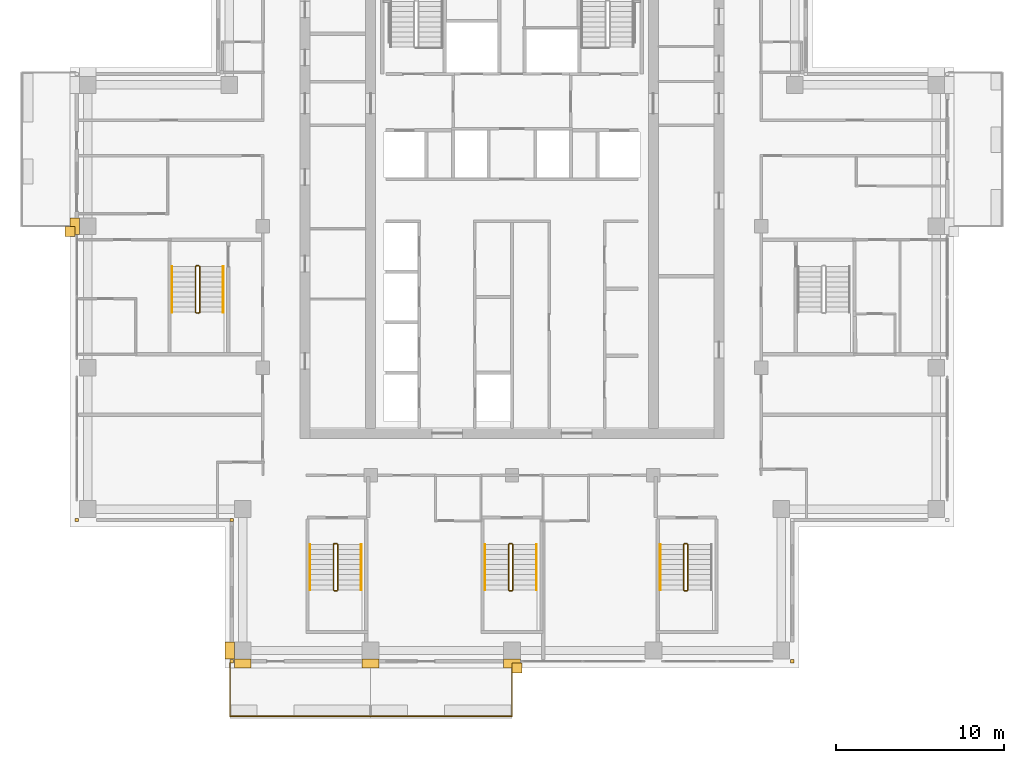
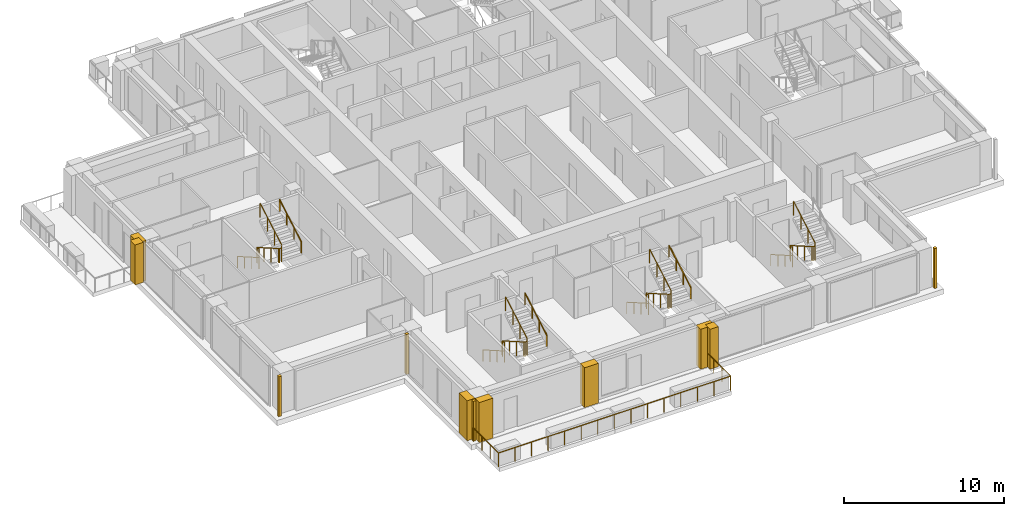
# One storey, part 13 of 15: 13 railings, 11 coverings.
"""IFC4 building model written with IfcOpenShell, lengths in metres."""

from ifc_helpers import new_model, si_unit, direction, frame, origin, origin_2d, place, context, subcontext, project, spatial, polyline, rectangle, outline, extrude, material, type_object, element, save


model = new_model("IFC4")

# Units and contexts
model_context = context("Model", 3, precision=1e-05, world=origin(), true_north=direction((0.0, 1.0)))
body_context = subcontext(model_context, "Body", "Model", "MODEL_VIEW")
ifc_project = project(units=[si_unit("LENGTHUNIT", "METRE"), si_unit("AREAUNIT", "SQUARE_METRE"), si_unit("VOLUMEUNIT", "CUBIC_METRE"), si_unit("PLANEANGLEUNIT", "RADIAN"), si_unit("MASSUNIT", "GRAM", prefix="KILO")], contexts=[model_context])

# Site, building, storey
site_placement = place(None, origin())
site = spatial("IfcSite", under=ifc_project, at=site_placement, CompositionType="ELEMENT")
building_placement = place(site_placement, origin())
building = spatial("IfcBuilding", under=site, at=building_placement, Name="Vermilion Ogive Tower", CompositionType="ELEMENT")
storey_placement = place(building_placement, frame((0.0, 0.0, 210.050048828125)))
storey = spatial("IfcBuildingStorey", under=building, at=storey_placement, Name="L55", CompositionType="ELEMENT", Elevation=210.050048828125)

# Railings
ifc_material_1 = material(Name="Stainless steel and glass", Category="steel")
railing_type_1 = type_object("IfcRailingType", Name="Balcony guard", PredefinedType="GUARDRAIL", material=ifc_material_1)
railing_1_placement = place(storey_placement, frame((-16.75, -21.75, -0.0400390625)))
element("IfcRailing", 1, at=railing_1_placement, inside=storey, type_object=railing_type_1, Name="Guard S01", PredefinedType="GUARDRAIL", context=body_context, shape_type="SweptSolid", body=[
    extrude(rectangle(XDim=0.048095703125, YDim=0.048095703125, at=origin_2d()), frame((0.0, 0.0, 1.076171875), z_axis=(0.0, -1.0, 0.0), x_axis=(1.0, 0.0, 0.0)), (0.0, 0.0, 1.0), 3.159912109375),
    extrude(rectangle(XDim=0.048095703125, YDim=0.048095703125, at=origin_2d()), frame((0.0, -3.159912109375, 1.076171875), z_axis=(1.0, 0.0, 0.0), x_axis=(0.0, 1.0, 0.0)), (0.0, 0.0, 1.0), 8.35009765625),
    extrude(rectangle(XDim=0.0419921875, YDim=0.0419921875, at=origin_2d()), origin(), (0.0, 0.0, 1.0), 1.052001953125),
    extrude(rectangle(XDim=0.0419921875, YDim=0.0419921875, at=origin_2d()), frame((0.0, -1.05322265625, 0.0)), (0.0, 0.0, 1.0), 1.052001953125),
    extrude(rectangle(XDim=0.0419921875, YDim=0.0419921875, at=origin_2d()), frame((0.0, -2.106689453125, 0.0)), (0.0, 0.0, 1.0), 1.052001953125),
    extrude(rectangle(XDim=0.0419921875, YDim=0.0419921875, at=origin_2d()), frame((0.0, -3.159912109375, 0.0)), (0.0, 0.0, 1.0), 1.052001953125),
    extrude(rectangle(XDim=0.0419921875, YDim=0.0419921875, at=origin_2d()), frame((1.19287109375, -3.159912109375, 0.0)), (0.0, 0.0, 1.0), 1.052001953125),
    extrude(rectangle(XDim=0.0419921875, YDim=0.0419921875, at=origin_2d()), frame((2.3857421875, -3.159912109375, 0.0)), (0.0, 0.0, 1.0), 1.052001953125),
    extrude(rectangle(XDim=0.0419921875, YDim=0.0419921875, at=origin_2d()), frame((3.57861328125, -3.159912109375, 0.0)), (0.0, 0.0, 1.0), 1.052001953125),
    extrude(rectangle(XDim=0.0419921875, YDim=0.0419921875, at=origin_2d()), frame((4.771484375, -3.159912109375, 0.0)), (0.0, 0.0, 1.0), 1.052001953125),
    extrude(rectangle(XDim=0.0419921875, YDim=0.0419921875, at=origin_2d()), frame((5.96435546875, -3.159912109375, 0.0)), (0.0, 0.0, 1.0), 1.052001953125),
    extrude(rectangle(XDim=0.0419921875, YDim=0.0419921875, at=origin_2d()), frame((7.1572265625, -3.159912109375, 0.0)), (0.0, 0.0, 1.0), 1.052001953125),
    extrude(rectangle(XDim=0.0419921875, YDim=0.0419921875, at=origin_2d()), frame((8.35009765625, -3.159912109375, 0.0)), (0.0, 0.0, 1.0), 1.052001953125),
])
railing_2_placement = place(storey_placement, frame((-8.39990234375, -24.909912109375, -0.0400390625)))
element("IfcRailing", 2, at=railing_2_placement, inside=storey, type_object=railing_type_1, Name="Guard S02", PredefinedType="GUARDRAIL", context=body_context, shape_type="SweptSolid", body=[
    extrude(rectangle(XDim=0.048095703125, YDim=0.048095703125, at=origin_2d()), frame((0.0, 0.0, 1.076171875), z_axis=(1.0, 0.0, 0.0), x_axis=(0.0, 1.0, 0.0)), (0.0, 0.0, 1.0), 8.39990234375),
    extrude(rectangle(XDim=0.048095703125, YDim=0.048095703125, at=origin_2d()), frame((8.39990234375, 0.0, 1.076171875), z_axis=(0.0, 1.0, 0.0), x_axis=(-1.0, 0.0, 0.0)), (0.0, 0.0, 1.0), 3.159912109375),
    extrude(rectangle(XDim=0.0419921875, YDim=0.0419921875, at=origin_2d()), origin(), (0.0, 0.0, 1.0), 1.052001953125),
    extrude(rectangle(XDim=0.0419921875, YDim=0.0419921875, at=origin_2d()), frame((1.199951171875, 0.0, 0.0)), (0.0, 0.0, 1.0), 1.052001953125),
    extrude(rectangle(XDim=0.0419921875, YDim=0.0419921875, at=origin_2d()), frame((2.39990234375, 0.0, 0.0)), (0.0, 0.0, 1.0), 1.052001953125),
    extrude(rectangle(XDim=0.0419921875, YDim=0.0419921875, at=origin_2d()), frame((3.599853515625, 0.0, 0.0)), (0.0, 0.0, 1.0), 1.052001953125),
    extrude(rectangle(XDim=0.0419921875, YDim=0.0419921875, at=origin_2d()), frame((4.800048828125, 0.0, 0.0)), (0.0, 0.0, 1.0), 1.052001953125),
    extrude(rectangle(XDim=0.0419921875, YDim=0.0419921875, at=origin_2d()), frame((6.0, 0.0, 0.0)), (0.0, 0.0, 1.0), 1.052001953125),
    extrude(rectangle(XDim=0.0419921875, YDim=0.0419921875, at=origin_2d()), frame((7.199951171875, 0.0, 0.0)), (0.0, 0.0, 1.0), 1.052001953125),
    extrude(rectangle(XDim=0.0419921875, YDim=0.0419921875, at=origin_2d()), frame((8.39990234375, 0.0, 0.0)), (0.0, 0.0, 1.0), 1.052001953125),
    extrude(rectangle(XDim=0.0419921875, YDim=0.0419921875, at=origin_2d()), frame((8.39990234375, 1.05322265625, 0.0)), (0.0, 0.0, 1.0), 1.052001953125),
    extrude(rectangle(XDim=0.0419921875, YDim=0.0419921875, at=origin_2d()), frame((8.39990234375, 2.106689453125, 0.0)), (0.0, 0.0, 1.0), 1.052001953125),
    extrude(rectangle(XDim=0.0419921875, YDim=0.0419921875, at=origin_2d()), frame((8.39990234375, 3.159912109375, 0.0)), (0.0, 0.0, 1.0), 1.052001953125),
])
ifc_material_2 = material(Name="Steel S355 painted", Category="steel")
railing_type_2 = type_object("IfcRailingType", Name="Stair guard 1100", PredefinedType="GUARDRAIL", material=ifc_material_2)
railing_3_placement = place(storey_placement, frame((-10.39990234375, -14.64990234375, 0.0)))
element("IfcRailing", 3, at=railing_3_placement, inside=storey, type_object=railing_type_2, Name="L55 ST3 stair guard 4", PredefinedType="GUARDRAIL", context=body_context, shape_type="SweptSolid", body=[
    extrude(rectangle(XDim=0.048095703125, YDim=0.048095703125, at=origin_2d()), frame((0.0, 0.0, 1.076171875), z_axis=(-1.0, 0.0, 0.0), x_axis=(0.0, -1.0, 0.0)), (0.0, 0.0, 1.0), 0.150146484375),
    extrude(rectangle(XDim=0.048095703125, YDim=0.048095703125, at=origin_2d()), frame((-0.150146484375, 0.0, 1.076171875), z_axis=(-0.268603158521, -0.268603158521, 0.925043072762), x_axis=(0.707106781187, -0.707106781187, 0.0)), (0.0, 0.0, 1.0), 0.186279296875),
    extrude(rectangle(XDim=0.048095703125, YDim=0.048095703125, at=origin_2d()), frame((-0.2001953125, -0.050048828125, 1.24853515625), z_axis=(0.0, -0.866903762492, 0.498475542607), x_axis=(1.0, 0.0, 0.0)), (0.0, 0.0, 1.0), 3.114501953125),
    extrude(rectangle(XDim=0.048095703125, YDim=0.048095703125, at=origin_2d()), frame((-0.2001953125, -2.75, 2.80078125), z_axis=(0.707106781187, -0.707106781187, 0.0), x_axis=(0.707106781187, 0.707106781187, 0.0)), (0.0, 0.0, 1.0), 0.07080078125),
    extrude(rectangle(XDim=0.048095703125, YDim=0.048095703125, at=origin_2d()), frame((-0.150146484375, -2.800048828125, 2.80078125), z_axis=(1.0, 0.0, 0.0), x_axis=(0.0, 1.0, 0.0)), (0.0, 0.0, 1.0), 0.150146484375),
    extrude(rectangle(XDim=0.048095703125, YDim=0.048095703125, at=origin_2d()), frame((0.0, -2.800048828125, 2.80078125), z_axis=(0.267062837333, 0.268371968888, 0.925556009775), x_axis=(-0.708833529934, 0.705375805398, 0.0)), (0.0, 0.0, 1.0), 0.1865234375),
    extrude(rectangle(XDim=0.048095703125, YDim=0.048095703125, at=origin_2d()), frame((0.0498046875, -2.75, 2.9736328125), z_axis=(0.0, 0.866903762492, 0.498475542607), x_axis=(-1.0, 0.0, 0.0)), (0.0, 0.0, 1.0), 3.114501953125),
    extrude(rectangle(XDim=0.0419921875, YDim=0.0419921875, at=origin_2d()), origin(), (0.0, 0.0, 1.0), 1.052001953125),
    extrude(rectangle(XDim=0.0419921875, YDim=0.0419921875, at=origin_2d()), frame((-0.150146484375, 0.0, 0.0)), (0.0, 0.0, 1.0), 1.052001953125),
    extrude(rectangle(XDim=0.0419921875, YDim=0.0419921875, at=origin_2d()), frame((-0.2001953125, -0.050048828125, 0.17236328125)), (0.0, 0.0, 1.0), 1.052001953125),
    extrude(rectangle(XDim=0.0419921875, YDim=0.0419921875, at=origin_2d()), frame((-0.2001953125, -0.949951171875, 0.68994140625)), (0.0, 0.0, 1.0), 1.052001953125),
    extrude(rectangle(XDim=0.0419921875, YDim=0.0419921875, at=origin_2d()), frame((-0.2001953125, -1.85009765625, 1.207275390625)), (0.0, 0.0, 1.0), 1.052001953125),
    extrude(rectangle(XDim=0.0419921875, YDim=0.0419921875, at=origin_2d()), frame((-0.2001953125, -2.75, 1.724853515625)), (0.0, 0.0, 1.0), 1.052001953125),
    extrude(rectangle(XDim=0.0419921875, YDim=0.0419921875, at=origin_2d()), frame((-0.150146484375, -2.800048828125, 1.724853515625)), (0.0, 0.0, 1.0), 1.052001953125),
    extrude(rectangle(XDim=0.0419921875, YDim=0.0419921875, at=origin_2d()), frame((0.0, -2.800048828125, 1.724853515625)), (0.0, 0.0, 1.0), 1.052001953125),
    extrude(rectangle(XDim=0.0419921875, YDim=0.0419921875, at=origin_2d()), frame((0.0498046875, -2.75, 1.8974609375)), (0.0, 0.0, 1.0), 1.052001953125),
    extrude(rectangle(XDim=0.0419921875, YDim=0.0419921875, at=origin_2d()), frame((0.0498046875, -1.85009765625, 2.4150390625)), (0.0, 0.0, 1.0), 1.052001953125),
    extrude(rectangle(XDim=0.0419921875, YDim=0.0419921875, at=origin_2d()), frame((0.0498046875, -0.949951171875, 2.932373046875)), (0.0, 0.0, 1.0), 1.052001953125),
    extrude(rectangle(XDim=0.0419921875, YDim=0.0419921875, at=origin_2d()), frame((0.0498046875, -0.050048828125, 3.449951171875)), (0.0, 0.0, 1.0), 1.052001953125),
])
railing_4_placement = place(storey_placement, frame((0.0, -14.64990234375, 0.0)))
element("IfcRailing", 4, at=railing_4_placement, inside=storey, type_object=railing_type_2, Name="L55 ST4 stair guard 4", PredefinedType="GUARDRAIL", context=body_context, shape_type="SweptSolid", body=[
    extrude(rectangle(XDim=0.048095703125, YDim=0.048095703125, at=origin_2d()), frame((0.0, 0.0, 1.076171875), z_axis=(-1.0, 0.0, 0.0), x_axis=(0.0, -1.0, 0.0)), (0.0, 0.0, 1.0), 0.14990234375),
    extrude(rectangle(XDim=0.048095703125, YDim=0.048095703125, at=origin_2d()), frame((-0.14990234375, 0.0, 1.076171875), z_axis=(-0.268603158521, -0.268603158521, 0.925043072762), x_axis=(0.707106781187, -0.707106781187, 0.0)), (0.0, 0.0, 1.0), 0.186279296875),
    extrude(rectangle(XDim=0.048095703125, YDim=0.048095703125, at=origin_2d()), frame((-0.199951171875, -0.050048828125, 1.24853515625), z_axis=(0.0, -0.866903762492, 0.498475542607), x_axis=(1.0, 0.0, 0.0)), (0.0, 0.0, 1.0), 3.114501953125),
    extrude(rectangle(XDim=0.048095703125, YDim=0.048095703125, at=origin_2d()), frame((-0.199951171875, -2.75, 2.80078125), z_axis=(0.707106781187, -0.707106781187, 0.0), x_axis=(0.707106781187, 0.707106781187, 0.0)), (0.0, 0.0, 1.0), 0.07080078125),
    extrude(rectangle(XDim=0.048095703125, YDim=0.048095703125, at=origin_2d()), frame((-0.14990234375, -2.800048828125, 2.80078125), z_axis=(1.0, 0.0, 0.0), x_axis=(0.0, 1.0, 0.0)), (0.0, 0.0, 1.0), 0.14990234375),
    extrude(rectangle(XDim=0.048095703125, YDim=0.048095703125, at=origin_2d()), frame((0.0, -2.800048828125, 2.80078125), z_axis=(0.268277960024, 0.268277960024, 0.925231793839), x_axis=(-0.707106781187, 0.707106781187, 0.0)), (0.0, 0.0, 1.0), 0.1865234375),
    extrude(rectangle(XDim=0.048095703125, YDim=0.048095703125, at=origin_2d()), frame((0.050048828125, -2.75, 2.9736328125), z_axis=(0.0, 0.866903762492, 0.498475542607), x_axis=(-1.0, 0.0, 0.0)), (0.0, 0.0, 1.0), 3.114501953125),
    extrude(rectangle(XDim=0.0419921875, YDim=0.0419921875, at=origin_2d()), origin(), (0.0, 0.0, 1.0), 1.052001953125),
    extrude(rectangle(XDim=0.0419921875, YDim=0.0419921875, at=origin_2d()), frame((-0.14990234375, 0.0, 0.0)), (0.0, 0.0, 1.0), 1.052001953125),
    extrude(rectangle(XDim=0.0419921875, YDim=0.0419921875, at=origin_2d()), frame((-0.199951171875, -0.050048828125, 0.17236328125)), (0.0, 0.0, 1.0), 1.052001953125),
    extrude(rectangle(XDim=0.0419921875, YDim=0.0419921875, at=origin_2d()), frame((-0.199951171875, -0.949951171875, 0.68994140625)), (0.0, 0.0, 1.0), 1.052001953125),
    extrude(rectangle(XDim=0.0419921875, YDim=0.0419921875, at=origin_2d()), frame((-0.199951171875, -1.85009765625, 1.207275390625)), (0.0, 0.0, 1.0), 1.052001953125),
    extrude(rectangle(XDim=0.0419921875, YDim=0.0419921875, at=origin_2d()), frame((-0.199951171875, -2.75, 1.724853515625)), (0.0, 0.0, 1.0), 1.052001953125),
    extrude(rectangle(XDim=0.0419921875, YDim=0.0419921875, at=origin_2d()), frame((-0.14990234375, -2.800048828125, 1.724853515625)), (0.0, 0.0, 1.0), 1.052001953125),
    extrude(rectangle(XDim=0.0419921875, YDim=0.0419921875, at=origin_2d()), frame((0.0, -2.800048828125, 1.724853515625)), (0.0, 0.0, 1.0), 1.052001953125),
    extrude(rectangle(XDim=0.0419921875, YDim=0.0419921875, at=origin_2d()), frame((0.050048828125, -2.75, 1.8974609375)), (0.0, 0.0, 1.0), 1.052001953125),
    extrude(rectangle(XDim=0.0419921875, YDim=0.0419921875, at=origin_2d()), frame((0.050048828125, -1.85009765625, 2.4150390625)), (0.0, 0.0, 1.0), 1.052001953125),
    extrude(rectangle(XDim=0.0419921875, YDim=0.0419921875, at=origin_2d()), frame((0.050048828125, -0.949951171875, 2.932373046875)), (0.0, 0.0, 1.0), 1.052001953125),
    extrude(rectangle(XDim=0.0419921875, YDim=0.0419921875, at=origin_2d()), frame((0.050048828125, -0.050048828125, 3.449951171875)), (0.0, 0.0, 1.0), 1.052001953125),
])
railing_5_placement = place(storey_placement, frame((10.39990234375, -14.64990234375, 0.0)))
element("IfcRailing", 5, at=railing_5_placement, inside=storey, type_object=railing_type_2, Name="L55 ST5 stair guard 4", PredefinedType="GUARDRAIL", context=body_context, shape_type="SweptSolid", body=[
    extrude(rectangle(XDim=0.048095703125, YDim=0.048095703125, at=origin_2d()), frame((0.0, 0.0, 1.076171875), z_axis=(-1.0, 0.0, 0.0), x_axis=(0.0, -1.0, 0.0)), (0.0, 0.0, 1.0), 0.14990234375),
    extrude(rectangle(XDim=0.048095703125, YDim=0.048095703125, at=origin_2d()), frame((-0.14990234375, 0.0, 1.076171875), z_axis=(-0.268603158521, -0.268603158521, 0.925043072762), x_axis=(0.707106781187, -0.707106781187, 0.0)), (0.0, 0.0, 1.0), 0.186279296875),
    extrude(rectangle(XDim=0.048095703125, YDim=0.048095703125, at=origin_2d()), frame((-0.199951171875, -0.050048828125, 1.24853515625), z_axis=(0.0, -0.866903762492, 0.498475542607), x_axis=(1.0, 0.0, 0.0)), (0.0, 0.0, 1.0), 3.114501953125),
    extrude(rectangle(XDim=0.048095703125, YDim=0.048095703125, at=origin_2d()), frame((-0.199951171875, -2.75, 2.80078125), z_axis=(0.707106781187, -0.707106781187, 0.0), x_axis=(0.707106781187, 0.707106781187, 0.0)), (0.0, 0.0, 1.0), 0.07080078125),
    extrude(rectangle(XDim=0.048095703125, YDim=0.048095703125, at=origin_2d()), frame((-0.14990234375, -2.800048828125, 2.80078125), z_axis=(1.0, 0.0, 0.0), x_axis=(0.0, 1.0, 0.0)), (0.0, 0.0, 1.0), 0.14990234375),
    extrude(rectangle(XDim=0.048095703125, YDim=0.048095703125, at=origin_2d()), frame((0.0, -2.800048828125, 2.80078125), z_axis=(0.268277960024, 0.268277960024, 0.925231793839), x_axis=(-0.707106781187, 0.707106781187, 0.0)), (0.0, 0.0, 1.0), 0.1865234375),
    extrude(rectangle(XDim=0.048095703125, YDim=0.048095703125, at=origin_2d()), frame((0.050048828125, -2.75, 2.9736328125), z_axis=(0.0, 0.866903762492, 0.498475542607), x_axis=(-1.0, 0.0, 0.0)), (0.0, 0.0, 1.0), 3.114501953125),
    extrude(rectangle(XDim=0.0419921875, YDim=0.0419921875, at=origin_2d()), origin(), (0.0, 0.0, 1.0), 1.052001953125),
    extrude(rectangle(XDim=0.0419921875, YDim=0.0419921875, at=origin_2d()), frame((-0.14990234375, 0.0, 0.0)), (0.0, 0.0, 1.0), 1.052001953125),
    extrude(rectangle(XDim=0.0419921875, YDim=0.0419921875, at=origin_2d()), frame((-0.199951171875, -0.050048828125, 0.17236328125)), (0.0, 0.0, 1.0), 1.052001953125),
    extrude(rectangle(XDim=0.0419921875, YDim=0.0419921875, at=origin_2d()), frame((-0.199951171875, -0.949951171875, 0.68994140625)), (0.0, 0.0, 1.0), 1.052001953125),
    extrude(rectangle(XDim=0.0419921875, YDim=0.0419921875, at=origin_2d()), frame((-0.199951171875, -1.85009765625, 1.207275390625)), (0.0, 0.0, 1.0), 1.052001953125),
    extrude(rectangle(XDim=0.0419921875, YDim=0.0419921875, at=origin_2d()), frame((-0.199951171875, -2.75, 1.724853515625)), (0.0, 0.0, 1.0), 1.052001953125),
    extrude(rectangle(XDim=0.0419921875, YDim=0.0419921875, at=origin_2d()), frame((-0.14990234375, -2.800048828125, 1.724853515625)), (0.0, 0.0, 1.0), 1.052001953125),
    extrude(rectangle(XDim=0.0419921875, YDim=0.0419921875, at=origin_2d()), frame((0.0, -2.800048828125, 1.724853515625)), (0.0, 0.0, 1.0), 1.052001953125),
    extrude(rectangle(XDim=0.0419921875, YDim=0.0419921875, at=origin_2d()), frame((0.050048828125, -2.75, 1.8974609375)), (0.0, 0.0, 1.0), 1.052001953125),
    extrude(rectangle(XDim=0.0419921875, YDim=0.0419921875, at=origin_2d()), frame((0.050048828125, -1.85009765625, 2.4150390625)), (0.0, 0.0, 1.0), 1.052001953125),
    extrude(rectangle(XDim=0.0419921875, YDim=0.0419921875, at=origin_2d()), frame((0.050048828125, -0.949951171875, 2.932373046875)), (0.0, 0.0, 1.0), 1.052001953125),
    extrude(rectangle(XDim=0.0419921875, YDim=0.0419921875, at=origin_2d()), frame((0.050048828125, -0.050048828125, 3.449951171875)), (0.0, 0.0, 1.0), 1.052001953125),
])
railing_6_placement = place(storey_placement, frame((-18.60009765625, 1.85009765625, 0.0)))
element("IfcRailing", 6, at=railing_6_placement, inside=storey, type_object=railing_type_2, Name="L55 ST9 stair guard 4", PredefinedType="GUARDRAIL", context=body_context, shape_type="SweptSolid", body=[
    extrude(rectangle(XDim=0.048095703125, YDim=0.048095703125, at=origin_2d()), frame((0.0, 0.0, 1.076171875), z_axis=(-1.0, 0.0, 0.0), x_axis=(0.0, -1.0, 0.0)), (0.0, 0.0, 1.0), 0.14990234375),
    extrude(rectangle(XDim=0.048095703125, YDim=0.048095703125, at=origin_2d()), frame((-0.14990234375, 0.0, 1.076171875), z_axis=(-0.268603158521, -0.268603158521, 0.925043072762), x_axis=(0.707106781187, -0.707106781187, 0.0)), (0.0, 0.0, 1.0), 0.186279296875),
    extrude(rectangle(XDim=0.048095703125, YDim=0.048095703125, at=origin_2d()), frame((-0.199951171875, -0.050048828125, 1.24853515625), z_axis=(0.0, -0.866903762492, 0.498475542607), x_axis=(1.0, 0.0, 0.0)), (0.0, 0.0, 1.0), 3.114501953125),
    extrude(rectangle(XDim=0.048095703125, YDim=0.048095703125, at=origin_2d()), frame((-0.199951171875, -2.75, 2.80078125), z_axis=(0.707106781187, -0.707106781187, 0.0), x_axis=(0.707106781187, 0.707106781187, 0.0)), (0.0, 0.0, 1.0), 0.07080078125),
    extrude(rectangle(XDim=0.048095703125, YDim=0.048095703125, at=origin_2d()), frame((-0.14990234375, -2.800048828125, 2.80078125), z_axis=(1.0, 0.0, 0.0), x_axis=(0.0, 1.0, 0.0)), (0.0, 0.0, 1.0), 0.14990234375),
    extrude(rectangle(XDim=0.048095703125, YDim=0.048095703125, at=origin_2d()), frame((0.0, -2.800048828125, 2.80078125), z_axis=(0.268277960024, 0.268277960024, 0.925231793839), x_axis=(-0.707106781187, 0.707106781187, 0.0)), (0.0, 0.0, 1.0), 0.1865234375),
    extrude(rectangle(XDim=0.048095703125, YDim=0.048095703125, at=origin_2d()), frame((0.050048828125, -2.75, 2.9736328125), z_axis=(0.0, 0.866903762492, 0.498475542607), x_axis=(-1.0, 0.0, 0.0)), (0.0, 0.0, 1.0), 3.114501953125),
    extrude(rectangle(XDim=0.0419921875, YDim=0.0419921875, at=origin_2d()), origin(), (0.0, 0.0, 1.0), 1.052001953125),
    extrude(rectangle(XDim=0.0419921875, YDim=0.0419921875, at=origin_2d()), frame((-0.14990234375, 0.0, 0.0)), (0.0, 0.0, 1.0), 1.052001953125),
    extrude(rectangle(XDim=0.0419921875, YDim=0.0419921875, at=origin_2d()), frame((-0.199951171875, -0.050048828125, 0.17236328125)), (0.0, 0.0, 1.0), 1.052001953125),
    extrude(rectangle(XDim=0.0419921875, YDim=0.0419921875, at=origin_2d()), frame((-0.199951171875, -0.949951171875, 0.68994140625)), (0.0, 0.0, 1.0), 1.052001953125),
    extrude(rectangle(XDim=0.0419921875, YDim=0.0419921875, at=origin_2d()), frame((-0.199951171875, -1.85009765625, 1.207275390625)), (0.0, 0.0, 1.0), 1.052001953125),
    extrude(rectangle(XDim=0.0419921875, YDim=0.0419921875, at=origin_2d()), frame((-0.199951171875, -2.75, 1.724853515625)), (0.0, 0.0, 1.0), 1.052001953125),
    extrude(rectangle(XDim=0.0419921875, YDim=0.0419921875, at=origin_2d()), frame((-0.14990234375, -2.800048828125, 1.724853515625)), (0.0, 0.0, 1.0), 1.052001953125),
    extrude(rectangle(XDim=0.0419921875, YDim=0.0419921875, at=origin_2d()), frame((0.0, -2.800048828125, 1.724853515625)), (0.0, 0.0, 1.0), 1.052001953125),
    extrude(rectangle(XDim=0.0419921875, YDim=0.0419921875, at=origin_2d()), frame((0.050048828125, -2.75, 1.8974609375)), (0.0, 0.0, 1.0), 1.052001953125),
    extrude(rectangle(XDim=0.0419921875, YDim=0.0419921875, at=origin_2d()), frame((0.050048828125, -1.85009765625, 2.4150390625)), (0.0, 0.0, 1.0), 1.052001953125),
    extrude(rectangle(XDim=0.0419921875, YDim=0.0419921875, at=origin_2d()), frame((0.050048828125, -0.949951171875, 2.932373046875)), (0.0, 0.0, 1.0), 1.052001953125),
    extrude(rectangle(XDim=0.0419921875, YDim=0.0419921875, at=origin_2d()), frame((0.050048828125, -0.050048828125, 3.449951171875)), (0.0, 0.0, 1.0), 1.052001953125),
])
ifc_material_3 = material(Name="Stainless steel", Category="steel")
railing_type_3 = type_object("IfcRailingType", Name="Stair handrail 900", PredefinedType="HANDRAIL", material=ifc_material_3)
railing_7_placement = place(storey_placement, frame((-12.0, -14.699951171875, 0.17236328125)))
element("IfcRailing", 7, at=railing_7_placement, inside=storey, type_object=railing_type_3, Name="L55 ST3 stair handrail 1", PredefinedType="HANDRAIL", context=body_context, shape_type="SweptSolid", body=[
    extrude(rectangle(XDim=0.048095703125, YDim=0.048095703125, at=origin_2d()), frame((0.0, 0.0, 0.8759765625), z_axis=(0.0, -0.866903762492, 0.498475542607), x_axis=(1.0, 0.0, 0.0)), (0.0, 0.0, 1.0), 3.114501953125),
    extrude(rectangle(XDim=0.0419921875, YDim=0.0419921875, at=origin_2d()), origin(), (0.0, 0.0, 1.0), 0.851806640625),
    extrude(rectangle(XDim=0.0419921875, YDim=0.0419921875, at=origin_2d()), frame((0.0, -0.89990234375, 0.517578125)), (0.0, 0.0, 1.0), 0.851806640625),
    extrude(rectangle(XDim=0.0419921875, YDim=0.0419921875, at=origin_2d()), frame((0.0, -1.800048828125, 1.034912109375)), (0.0, 0.0, 1.0), 0.851806640625),
    extrude(rectangle(XDim=0.0419921875, YDim=0.0419921875, at=origin_2d()), frame((0.0, -2.699951171875, 1.552490234375)), (0.0, 0.0, 1.0), 0.851806640625),
])
railing_8_placement = place(storey_placement, frame((-8.949951171875, -17.39990234375, 1.8974609375)))
element("IfcRailing", 8, at=railing_8_placement, inside=storey, type_object=railing_type_3, Name="L55 ST3 stair handrail 2", PredefinedType="HANDRAIL", context=body_context, shape_type="SweptSolid", body=[
    extrude(rectangle(XDim=0.048095703125, YDim=0.048095703125, at=origin_2d()), frame((0.0, 0.0, 0.8759765625), z_axis=(0.0, 0.866903762492, 0.498475542607), x_axis=(-1.0, 0.0, 0.0)), (0.0, 0.0, 1.0), 3.114501953125),
    extrude(rectangle(XDim=0.0419921875, YDim=0.0419921875, at=origin_2d()), origin(), (0.0, 0.0, 1.0), 0.851806640625),
    extrude(rectangle(XDim=0.0419921875, YDim=0.0419921875, at=origin_2d()), frame((0.0, 0.89990234375, 0.517578125)), (0.0, 0.0, 1.0), 0.851806640625),
    extrude(rectangle(XDim=0.0419921875, YDim=0.0419921875, at=origin_2d()), frame((0.0, 1.800048828125, 1.034912109375)), (0.0, 0.0, 1.0), 0.851806640625),
    extrude(rectangle(XDim=0.0419921875, YDim=0.0419921875, at=origin_2d()), frame((0.0, 2.699951171875, 1.552490234375)), (0.0, 0.0, 1.0), 0.851806640625),
])
railing_9_placement = place(storey_placement, frame((-1.60009765625, -14.699951171875, 0.17236328125)))
element("IfcRailing", 9, at=railing_9_placement, inside=storey, type_object=railing_type_3, Name="L55 ST4 stair handrail 1", PredefinedType="HANDRAIL", context=body_context, shape_type="SweptSolid", body=[
    extrude(rectangle(XDim=0.048095703125, YDim=0.048095703125, at=origin_2d()), frame((0.0, 0.0, 0.8759765625), z_axis=(0.0, -0.866903762492, 0.498475542607), x_axis=(1.0, 0.0, 0.0)), (0.0, 0.0, 1.0), 3.114501953125),
    extrude(rectangle(XDim=0.0419921875, YDim=0.0419921875, at=origin_2d()), origin(), (0.0, 0.0, 1.0), 0.851806640625),
    extrude(rectangle(XDim=0.0419921875, YDim=0.0419921875, at=origin_2d()), frame((0.0, -0.89990234375, 0.517578125)), (0.0, 0.0, 1.0), 0.851806640625),
    extrude(rectangle(XDim=0.0419921875, YDim=0.0419921875, at=origin_2d()), frame((0.0, -1.800048828125, 1.034912109375)), (0.0, 0.0, 1.0), 0.851806640625),
    extrude(rectangle(XDim=0.0419921875, YDim=0.0419921875, at=origin_2d()), frame((0.0, -2.699951171875, 1.552490234375)), (0.0, 0.0, 1.0), 0.851806640625),
])
railing_10_placement = place(storey_placement, frame((1.449951171875, -17.39990234375, 1.8974609375)))
element("IfcRailing", 10, at=railing_10_placement, inside=storey, type_object=railing_type_3, Name="L55 ST4 stair handrail 2", PredefinedType="HANDRAIL", context=body_context, shape_type="SweptSolid", body=[
    extrude(rectangle(XDim=0.048095703125, YDim=0.048095703125, at=origin_2d()), frame((0.0, 0.0, 0.8759765625), z_axis=(0.0, 0.866903762492, 0.498475542607), x_axis=(-1.0, 0.0, 0.0)), (0.0, 0.0, 1.0), 3.114501953125),
    extrude(rectangle(XDim=0.0419921875, YDim=0.0419921875, at=origin_2d()), origin(), (0.0, 0.0, 1.0), 0.851806640625),
    extrude(rectangle(XDim=0.0419921875, YDim=0.0419921875, at=origin_2d()), frame((0.0, 0.89990234375, 0.517578125)), (0.0, 0.0, 1.0), 0.851806640625),
    extrude(rectangle(XDim=0.0419921875, YDim=0.0419921875, at=origin_2d()), frame((0.0, 1.800048828125, 1.034912109375)), (0.0, 0.0, 1.0), 0.851806640625),
    extrude(rectangle(XDim=0.0419921875, YDim=0.0419921875, at=origin_2d()), frame((0.0, 2.699951171875, 1.552490234375)), (0.0, 0.0, 1.0), 0.851806640625),
])
for number, where, name in (
    (11, (8.800048828125, -14.699951171875, 0.17236328125), "L55 ST5 stair handrail 1"),
    (12, (-20.199951171875, 1.800048828125, 0.17236328125), "L55 ST9 stair handrail 1"),
):
    element("IfcRailing", number, at=place(storey_placement, frame(where)), inside=storey, type_object=railing_type_3, Name=name, PredefinedType="HANDRAIL", context=body_context, shape_type="SweptSolid", body=[
        extrude(rectangle(XDim=0.048095703125, YDim=0.048095703125, at=origin_2d()), frame((0.0, 0.0, 0.8759765625), z_axis=(0.0, -0.866903762492, 0.498475542607), x_axis=(1.0, 0.0, 0.0)), (0.0, 0.0, 1.0), 3.114501953125),
        extrude(rectangle(XDim=0.0419921875, YDim=0.0419921875, at=origin_2d()), origin(), (0.0, 0.0, 1.0), 0.851806640625),
        extrude(rectangle(XDim=0.0419921875, YDim=0.0419921875, at=origin_2d()), frame((0.0, -0.89990234375, 0.517578125)), (0.0, 0.0, 1.0), 0.851806640625),
        extrude(rectangle(XDim=0.0419921875, YDim=0.0419921875, at=origin_2d()), frame((0.0, -1.800048828125, 1.034912109375)), (0.0, 0.0, 1.0), 0.851806640625),
        extrude(rectangle(XDim=0.0419921875, YDim=0.0419921875, at=origin_2d()), frame((0.0, -2.699951171875, 1.552490234375)), (0.0, 0.0, 1.0), 0.851806640625),
    ])
railing_11_placement = place(storey_placement, frame((-17.14990234375, -0.89990234375, 1.8974609375)))
element("IfcRailing", 13, at=railing_11_placement, inside=storey, type_object=railing_type_3, Name="L55 ST9 stair handrail 2", PredefinedType="HANDRAIL", context=body_context, shape_type="SweptSolid", body=[
    extrude(rectangle(XDim=0.048095703125, YDim=0.048095703125, at=origin_2d()), frame((0.0, 0.0, 0.8759765625), z_axis=(0.0, 0.866903762492, 0.498475542607), x_axis=(-1.0, 0.0, 0.0)), (0.0, 0.0, 1.0), 3.114501953125),
    extrude(rectangle(XDim=0.0419921875, YDim=0.0419921875, at=origin_2d()), origin(), (0.0, 0.0, 1.0), 0.851806640625),
    extrude(rectangle(XDim=0.0419921875, YDim=0.0419921875, at=origin_2d()), frame((0.0, 0.89990234375, 0.517578125)), (0.0, 0.0, 1.0), 0.851806640625),
    extrude(rectangle(XDim=0.0419921875, YDim=0.0419921875, at=origin_2d()), frame((0.0, 1.800048828125, 1.034912109375)), (0.0, 0.0, 1.0), 0.851806640625),
    extrude(rectangle(XDim=0.0419921875, YDim=0.0419921875, at=origin_2d()), frame((0.0, 2.699951171875, 1.552490234375)), (0.0, 0.0, 1.0), 0.851806640625),
])

# Coverings
ifc_material_4 = material(Name="Stone cladding", Category="masonry")
covering_type_1 = type_object("IfcCoveringType", Name="Stone corner buttress", PredefinedType="CLADDING", material=ifc_material_4)
covering_1_placement = place(storey_placement, origin())
element("IfcCovering", 14, at=covering_1_placement, inside=storey, type_object=covering_type_1, Name="Stone crease pier SK", PredefinedType="CLADDING", context=body_context, shape_type="SweptSolid", body=[
    extrude(outline(polyline([(0.0, -22.35009765625), (0.60009765625, -22.35009765625), (0.60009765625, -21.75), (0.0, -21.75), (0.0, -22.35009765625)])), origin(), (0.0, 0.0, 1.0), 3.050048828125),
])
covering_2_placement = place(storey_placement, origin())
element("IfcCovering", 15, at=covering_2_placement, inside=storey, type_object=covering_type_1, Name="Stone crease pier WK", PredefinedType="CLADDING", context=body_context, shape_type="SweptSolid", body=[
    extrude(outline(polyline([(-26.550048828125, 4.199951171875), (-26.550048828125, 3.60009765625), (-25.949951171875, 3.60009765625), (-25.949951171875, 4.199951171875), (-26.550048828125, 4.199951171875)])), origin(), (0.0, 0.0, 1.0), 3.050048828125),
])
ifc_material_5 = material(Name="Stone cladding", Category="masonry")
covering_type_2 = type_object("IfcCoveringType", Name="Stone pier", PredefinedType="CLADDING", material=ifc_material_5)
covering_3_placement = place(storey_placement, origin())
element("IfcCovering", 16, at=covering_3_placement, inside=storey, type_object=covering_type_2, Name="Stone corner pier SE1", PredefinedType="CLADDING", context=body_context, shape_type="SweptSolid", body=[
    extrude(outline(polyline([(16.550048828125, -21.550048828125), (16.75, -21.550048828125), (16.75, -21.75), (16.550048828125, -21.75), (16.550048828125, -21.550048828125)])), origin(), (0.0, 0.0, 1.0), 3.050048828125),
])
covering_4_placement = place(storey_placement, origin())
element("IfcCovering", 17, at=covering_4_placement, inside=storey, type_object=covering_type_2, Name="Stone corner pier WE1", PredefinedType="CLADDING", context=body_context, shape_type="SweptSolid", body=[
    extrude(outline(polyline([(-25.75, -13.14990234375), (-25.75, -13.35009765625), (-25.949951171875, -13.35009765625), (-25.949951171875, -13.14990234375), (-25.75, -13.14990234375)])), origin(), (0.0, 0.0, 1.0), 3.050048828125),
])
covering_5_placement = place(storey_placement, origin())
element("IfcCovering", 18, at=covering_5_placement, inside=storey, type_object=covering_type_2, Name="Stone corner pier X7E1", PredefinedType="CLADDING", context=body_context, shape_type="SweptSolid", body=[
    extrude(outline(polyline([(-16.550048828125, -13.14990234375), (-16.550048828125, -13.35009765625), (-16.75, -13.35009765625), (-16.75, -13.14990234375), (-16.550048828125, -13.14990234375)])), origin(), (0.0, 0.0, 1.0), 3.050048828125),
])
covering_6_placement = place(storey_placement, origin())
element("IfcCovering", 19, at=covering_6_placement, inside=storey, type_object=covering_type_2, Name="Stone corner pier X8E1", PredefinedType="CLADDING", context=body_context, shape_type="SweptSolid", body=[
    extrude(outline(polyline([(-16.550048828125, -21.550048828125), (-16.550048828125, -21.75), (-16.75, -21.75), (-16.75, -21.550048828125), (-16.550048828125, -21.550048828125)])), origin(), (0.0, 0.0, 1.0), 3.050048828125),
])
covering_7_placement = place(storey_placement, origin())
element("IfcCovering", 20, at=covering_7_placement, inside=storey, type_object=covering_type_2, Name="Stone pier P+0000-210", PredefinedType="CLADDING", context=body_context, shape_type="SweptSolid", body=[
    extrude(outline(polyline([(0.5, -21.75), (0.0, -21.75), (0.0, -22.050048828125), (-0.5, -22.050048828125), (-0.5, -21.5), (0.5, -21.5), (0.5, -21.75)])), origin(), (0.0, 0.0, 1.0), 3.050048828125),
])
covering_8_placement = place(storey_placement, origin())
element("IfcCovering", 21, at=covering_8_placement, inside=storey, type_object=covering_type_2, Name="Stone pier P-0084-210", PredefinedType="CLADDING", context=body_context, shape_type="SweptSolid", body=[
    extrude(outline(polyline([(-7.89990234375, -22.050048828125), (-8.89990234375, -22.050048828125), (-8.89990234375, -21.5), (-7.89990234375, -21.5), (-7.89990234375, -22.050048828125)])), origin(), (0.0, 0.0, 1.0), 3.050048828125),
])
covering_9_placement = place(storey_placement, origin())
element("IfcCovering", 22, at=covering_9_placement, inside=storey, type_object=covering_type_2, Name="Stone pier P-0160-210S", PredefinedType="CLADDING", context=body_context, shape_type="SweptSolid", body=[
    extrude(outline(polyline([(-15.5, -22.050048828125), (-16.5, -22.050048828125), (-16.5, -21.5), (-15.5, -21.5), (-15.5, -22.050048828125)])), origin(), (0.0, 0.0, 1.0), 3.050048828125),
])
covering_10_placement = place(storey_placement, origin())
element("IfcCovering", 23, at=covering_10_placement, inside=storey, type_object=covering_type_2, Name="Stone pier P-0160-210X8", PredefinedType="CLADDING", context=body_context, shape_type="SweptSolid", body=[
    extrude(outline(polyline([(-17.050048828125, -20.5), (-16.5, -20.5), (-16.5, -21.5), (-17.050048828125, -21.5), (-17.050048828125, -20.5)])), origin(), (0.0, 0.0, 1.0), 3.050048828125),
])
covering_11_placement = place(storey_placement, origin())
element("IfcCovering", 24, at=covering_11_placement, inside=storey, type_object=covering_type_2, Name="Stone pier P-0252+042", PredefinedType="CLADDING", context=body_context, shape_type="SweptSolid", body=[
    extrude(outline(polyline([(-25.699951171875, 3.699951171875), (-25.949951171875, 3.699951171875), (-25.949951171875, 4.199951171875), (-26.25, 4.199951171875), (-26.25, 4.699951171875), (-25.699951171875, 4.699951171875), (-25.699951171875, 4.699951171875), (-25.699951171875, 3.699951171875)])), origin(), (0.0, 0.0, 1.0), 3.050048828125),
])

save(model, "model.ifc")
